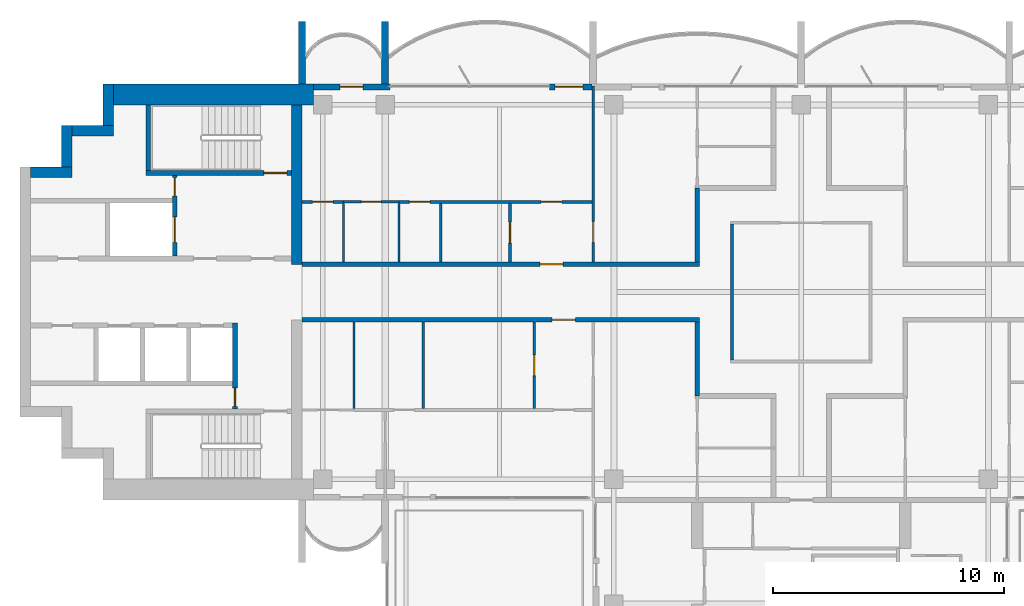
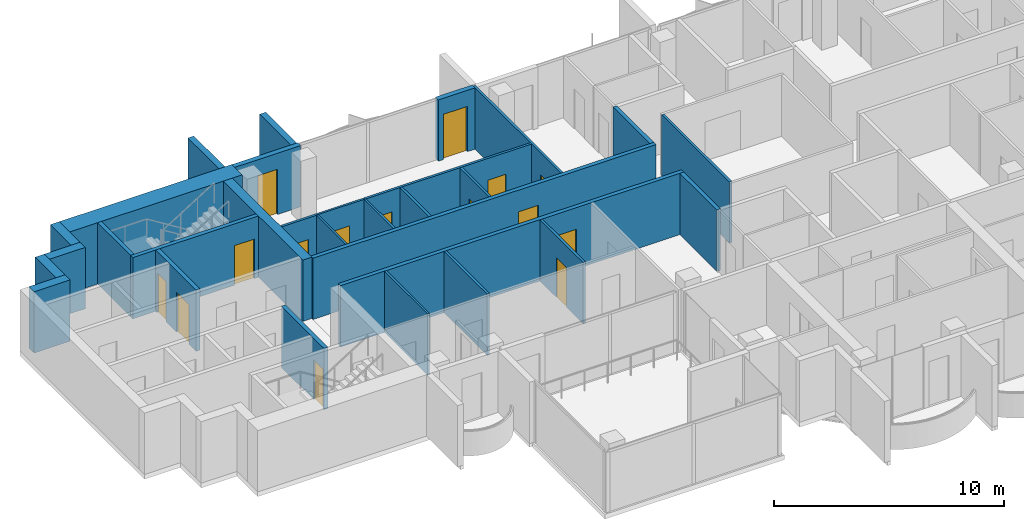
# One storey, part 8 of 16: 30 walls, 15 doors, 15 openings.
"""IFC4 building model written with IfcOpenShell, lengths in metres."""

from ifc_helpers import new_model, si_unit, direction, frame, frame_2d, origin, place, context, subcontext, project, spatial, rectangle, extrude, material, layer, layer_set, type_object, element, fill, save


model = new_model("IFC4")

# Units and contexts
model_context = context("Model", 3, precision=1e-05, world=origin(), true_north=direction((0.0, 1.0)))
body_context = subcontext(model_context, "Body", "Model", "MODEL_VIEW")
ifc_project = project(units=[si_unit("LENGTHUNIT", "METRE"), si_unit("AREAUNIT", "SQUARE_METRE"), si_unit("VOLUMEUNIT", "CUBIC_METRE"), si_unit("PLANEANGLEUNIT", "RADIAN"), si_unit("MASSUNIT", "GRAM", prefix="KILO")], contexts=[model_context])

# Site, building, storey
site_placement = place(None, origin())
site = spatial("IfcSite", under=ifc_project, at=site_placement, CompositionType="ELEMENT")
building_placement = place(site_placement, origin())
building = spatial("IfcBuilding", under=site, at=building_placement, Name="Perihelion Cross Residences", CompositionType="ELEMENT")
storey_placement = place(building_placement, frame((0.0, 0.0, 246.5)))
storey = spatial("IfcBuildingStorey", under=building, at=storey_placement, Name="L62", CompositionType="ELEMENT", Elevation=246.5)

# Wall, opening, door
ifc_material_1 = material(Name="Plasterboard partition")
ifc_layer_1 = layer(ifc_material_1, 0.199951171875)
ifc_layer_set_1 = layer_set([ifc_layer_1], Name="Apartment separation wall 200")
wall_type_1 = type_object("IfcWallType", Name="Apartment separation wall 200", PredefinedType="PARTITIONING", material=ifc_layer_set_1)
wall_1_placement = place(storey_placement, frame((-21.60009765625, 1.199951171875, 0.0), z_axis=(0.0, 0.0, 1.0), x_axis=(1.0, 0.0, 0.0)))
wall_1 = element("IfcWall", 1, at=wall_1_placement, inside=storey, type_object=wall_type_1, Name="Partition L62 W013", PredefinedType="PARTITIONING", context=body_context, shape_type="SweptSolid", body=[
    extrude(rectangle(XDim=17.2001953125, YDim=0.199951171875, at=frame_2d((8.60009765625, 0.0))), origin(), (0.0, 0.0, 1.0), 3.25),
])
opening_1_placement = place(wall_1_placement, frame((10.300048828125, 0.0, 0.0)))
opening_1 = element("IfcOpeningElement", 2, at=opening_1_placement, cuts=wall_1, Name="Opening L62.A40", PredefinedType="OPENING", context=body_context, shape_type="SweptSolid", body=[
    extrude(rectangle(XDim=1.0, YDim=2.10009765625, at=frame_2d((0.5, 1.050048828125))), frame((0.0, 0.10986328125, 0.0), z_axis=(0.0, -1.0, 0.0), x_axis=(1.0, 0.0, 0.0)), (0.0, 0.0, 1.0), 0.219970703125),
])
ifc_material_2 = material(Name="Timber door leaf", Category="wood")
door_type_1 = type_object("IfcDoorType", Name="Flat entrance door 1000 x 2100", OperationType="SINGLE_SWING_LEFT", PredefinedType="DOOR", material=ifc_material_2)
door_1_placement = place(opening_1_placement, origin())
door_1 = element("IfcDoor", 3, at=door_1_placement, inside=storey, type_object=door_type_1, Name="Door L62.A40", OperationType="SINGLE_SWING_RIGHT", OverallHeight=2.10009765625, OverallWidth=1.0, PredefinedType="DOOR", context=body_context, shape_type="SweptSolid", body=[
    extrude(rectangle(XDim=1.0, YDim=2.10009765625, at=frame_2d((0.5, 1.050048828125))), frame((0.0, 0.02490234375, 0.0), z_axis=(0.0, -1.0, 0.0), x_axis=(1.0, 0.0, 0.0)), (0.0, 0.0, 1.0), 0.050048828125),
])
fill(opening_1, door_1)

# Wall
wall_2_placement = place(storey_placement, frame((-4.5, 1.300048828125, 0.0), z_axis=(0.0, 0.0, 1.0), x_axis=(0.0, 1.0, 0.0)))
element("IfcWall", 4, at=wall_2_placement, inside=storey, type_object=wall_type_1, Name="Partition L62 W014", PredefinedType="PARTITIONING", context=body_context, shape_type="SweptSolid", body=[
    extrude(rectangle(XDim=3.199951171875, YDim=0.199951171875, at=frame_2d((1.60009765625, 0.0))), origin(), (0.0, 0.0, 1.0), 3.25),
])

# Wall, opening, door
wall_3_placement = place(storey_placement, frame((-4.39990234375, -1.199951171875, 0.0), z_axis=(0.0, 0.0, 1.0), x_axis=(-1.0, 0.0, 0.0)))
wall_3 = element("IfcWall", 5, at=wall_3_placement, inside=storey, type_object=wall_type_1, Name="Partition L62 W017", PredefinedType="PARTITIONING", context=body_context, shape_type="SweptSolid", body=[
    extrude(rectangle(XDim=17.2001953125, YDim=0.199951171875, at=frame_2d((8.60009765625, 0.0))), origin(), (0.0, 0.0, 1.0), 3.25),
])
opening_2_placement = place(wall_3_placement, frame((5.375, 0.0, 0.0)))
opening_2 = element("IfcOpeningElement", 6, at=opening_2_placement, cuts=wall_3, Name="Opening L62.A41", PredefinedType="OPENING", context=body_context, shape_type="SweptSolid", body=[
    extrude(rectangle(XDim=1.0, YDim=2.10009765625, at=frame_2d((0.5, 1.050048828125))), frame((0.0, 0.10986328125, 0.0), z_axis=(0.0, -1.0, 0.0), x_axis=(1.0, 0.0, 0.0)), (0.0, 0.0, 1.0), 0.219970703125),
])
door_2_placement = place(opening_2_placement, origin())
door_2 = element("IfcDoor", 7, at=door_2_placement, inside=storey, type_object=door_type_1, Name="Door L62.A41", OperationType="SINGLE_SWING_RIGHT", OverallHeight=2.10009765625, OverallWidth=1.0, PredefinedType="DOOR", context=body_context, shape_type="SweptSolid", body=[
    extrude(rectangle(XDim=1.0, YDim=2.10009765625, at=frame_2d((0.5, 1.050048828125))), frame((0.0, 0.02490234375, 0.0), z_axis=(0.0, -1.0, 0.0), x_axis=(1.0, 0.0, 0.0)), (0.0, 0.0, 1.0), 0.050048828125),
])
fill(opening_2, door_2)

# Wall
wall_4_placement = place(storey_placement, frame((-4.5, -4.5, 0.0), z_axis=(0.0, 0.0, 1.0), x_axis=(0.0, 1.0, 0.0)))
element("IfcWall", 8, at=wall_4_placement, inside=storey, type_object=wall_type_1, Name="Partition L62 W018", PredefinedType="PARTITIONING", context=body_context, shape_type="SweptSolid", body=[
    extrude(rectangle(XDim=3.199951171875, YDim=0.199951171875, at=frame_2d((1.60009765625, 0.0))), origin(), (0.0, 0.0, 1.0), 3.25),
])

# Wall, opening, door
ifc_material_3 = material(Name="Concrete C30/37, bronze-clad", Category="concrete")
ifc_layer_2 = layer(ifc_material_3, 0.25)
ifc_layer_set_2 = layer_set([ifc_layer_2], Name="Bronze-clad pier wall 250")
wall_type_2 = type_object("IfcWallType", Name="Bronze-clad pier wall 250", PredefinedType="SOLIDWALL", material=ifc_layer_set_2)
wall_5_placement = place(storey_placement, frame((-9.06005859375, 8.875, 0.0), z_axis=(0.0, 0.0, 1.0), x_axis=(-1.0, 0.0, 0.0)))
wall_5 = element("IfcWall", 9, at=wall_5_placement, inside=storey, type_object=wall_type_2, Name="Wall FW1 L62 west side north bay 1 pier", PredefinedType="SOLIDWALL", context=body_context, shape_type="SweptSolid", body=[
    extrude(rectangle(XDim=1.83984375, YDim=0.25, at=frame_2d((0.919921875, 0.0))), origin(), (0.0, 0.0, 1.0), 3.25),
])
opening_3_placement = place(wall_5_placement, frame((0.389892578125, 0.0, 0.0)))
opening_3 = element("IfcOpeningElement", 10, at=opening_3_placement, cuts=wall_5, Name="Opening L62.E05", PredefinedType="OPENING", context=body_context, shape_type="SweptSolid", body=[
    extrude(rectangle(XDim=1.199951171875, YDim=2.39990234375, at=frame_2d((0.60009765625, 1.199951171875))), frame((0.0, 0.135009765625, 0.0), z_axis=(0.0, -1.0, 0.0), x_axis=(1.0, 0.0, 0.0)), (0.0, 0.0, 1.0), 0.27001953125),
])
ifc_material_4 = material(Name="Bronze anodised aluminium, glazed", Category="aluminium")
door_type_2 = type_object("IfcDoorType", Name="Balcony door 1200 x 2400", OperationType="NOTDEFINED", PredefinedType="DOOR", material=ifc_material_4)
door_3_placement = place(opening_3_placement, origin())
door_3 = element("IfcDoor", 11, at=door_3_placement, inside=storey, type_object=door_type_2, Name="Door L62.E05 west side north bay 1", OperationType="SINGLE_SWING_LEFT", OverallHeight=2.39990234375, OverallWidth=1.199951171875, PredefinedType="DOOR", context=body_context, shape_type="SweptSolid", body=[
    extrude(rectangle(XDim=1.199951171875, YDim=2.39990234375, at=frame_2d((0.60009765625, 1.199951171875))), frame((0.0, 0.02490234375, 0.0), z_axis=(0.0, -1.0, 0.0), x_axis=(1.0, 0.0, 0.0)), (0.0, 0.0, 1.0), 0.050048828125),
])
fill(opening_3, door_3)

wall_6_placement = place(storey_placement, frame((-17.800048828125, 8.875, 0.0), z_axis=(0.0, 0.0, 1.0), x_axis=(-1.0, 0.0, 0.0)))
wall_6 = element("IfcWall", 12, at=wall_6_placement, inside=storey, type_object=wall_type_2, Name="Wall FW1 L62 west side north bay 2 pier", PredefinedType="SOLIDWALL", context=body_context, shape_type="SweptSolid", body=[
    extrude(rectangle(XDim=3.300048828125, YDim=0.25, at=frame_2d((1.64990234375, 0.0))), origin(), (0.0, 0.0, 1.0), 3.25),
])
opening_4_placement = place(wall_6_placement, frame((1.14990234375, 0.0, 0.0)))
opening_4 = element("IfcOpeningElement", 13, at=opening_4_placement, cuts=wall_6, Name="Opening L62.E06", PredefinedType="OPENING", context=body_context, shape_type="SweptSolid", body=[
    extrude(rectangle(XDim=1.0, YDim=2.39990234375, at=frame_2d((0.5, 1.199951171875))), frame((0.0, 0.135009765625, 0.0), z_axis=(0.0, -1.0, 0.0), x_axis=(1.0, 0.0, 0.0)), (0.0, 0.0, 1.0), 0.27001953125),
])
ifc_material_5 = material(Name="Bronze anodised aluminium, glazed", Category="aluminium")
door_type_3 = type_object("IfcDoorType", Name="Balcony door 1000 x 2400", OperationType="NOTDEFINED", PredefinedType="DOOR", material=ifc_material_5)
door_4_placement = place(opening_4_placement, origin())
door_4 = element("IfcDoor", 14, at=door_4_placement, inside=storey, type_object=door_type_3, Name="Door L62.E06 west side north bay 2", OperationType="SINGLE_SWING_RIGHT", OverallHeight=2.39990234375, OverallWidth=1.0, PredefinedType="DOOR", context=body_context, shape_type="SweptSolid", body=[
    extrude(rectangle(XDim=1.0, YDim=2.39990234375, at=frame_2d((0.5, 1.199951171875))), frame((0.0, 0.02490234375, 0.0), z_axis=(0.0, -1.0, 0.0), x_axis=(1.0, 0.0, 0.0)), (0.0, 0.0, 1.0), 0.050048828125),
])
fill(opening_4, door_4)

# Walls
ifc_material_6 = material(Name="Concrete C60/75", Category="concrete")
ifc_layer_3 = layer(ifc_material_6, 0.449951171875)
ifc_layer_set_3 = layer_set([ifc_layer_3], Name="Core wall, inner 450")
wall_type_3 = type_object("IfcWallType", Name="Core wall, inner 450", PredefinedType="SHEAR", material=ifc_layer_set_3)
wall_7_placement = place(storey_placement, frame((-21.824951171875, 1.199951171875, 0.0), z_axis=(0.0, 0.0, 1.0), x_axis=(0.0, 1.0, 0.0)))
element("IfcWall", 15, at=wall_7_placement, inside=storey, type_object=wall_type_3, Name="West core core wall, inner", PredefinedType="SHEAR", context=body_context, shape_type="SweptSolid", body=[
    extrude(rectangle(XDim=6.900146484375, YDim=0.449951171875, at=frame_2d((3.4501953125, 0.0))), origin(), (0.0, 0.0, 1.0), 3.25),
])
ifc_material_7 = material(Name="Concrete C60/75", Category="concrete")
ifc_layer_4 = layer(ifc_material_7, 0.449951171875)
ifc_layer_set_4 = layer_set([ifc_layer_4], Name="Core wall, outer 450")
wall_type_4 = type_object("IfcWallType", Name="Core wall, outer 450", PredefinedType="SHEAR", material=ifc_layer_set_4)
for number, where, z_axis, x_axis, name in (
    (16, (-33.35009765625, 5.175048828125, 0.0), (0.0, 0.0, 1.0), (1.0, 0.0, 0.0), "West core core wall, outer"),
    (17, (-31.77490234375, 5.39990234375, 0.0), (0.0, 0.0, 1.0), (0.0, 1.0, 0.0), "West core core wall, outer"),
    (18, (-31.550048828125, 6.97509765625, 0.0), (0.0, 0.0, 1.0), (1.0, 0.0, 0.0), "West core core wall, outer"),
    (19, (-29.97509765625, 7.199951171875, 0.0), (0.0, 0.0, 1.0), (0.0, 1.0, 0.0), "West core core wall, outer"),
):
    element("IfcWall", number, at=place(storey_placement, frame(where, z_axis=z_axis, x_axis=x_axis)), inside=storey, type_object=wall_type_4, Name=name, PredefinedType="SHEAR", context=body_context, shape_type="SweptSolid", body=[
        extrude(rectangle(XDim=1.800048828125, YDim=0.449951171875, at=frame_2d((0.89990234375, 0.0))), origin(), (0.0, 0.0, 1.0), 3.25),
    ])
ifc_material_8 = material(Name="Concrete C60/75", Category="concrete")
ifc_layer_5 = layer(ifc_material_8, 0.89990234375)
ifc_layer_set_5 = layer_set([ifc_layer_5], Name="Core wall, outer 900")
wall_type_5 = type_object("IfcWallType", Name="Core wall, outer 900", PredefinedType="SHEAR", material=ifc_layer_set_5)
wall_8_placement = place(storey_placement, frame((-29.75, 8.550048828125, 0.0), z_axis=(0.0, 0.0, 1.0), x_axis=(1.0, 0.0, 0.0)))
element("IfcWall", 20, at=wall_8_placement, inside=storey, type_object=wall_type_5, Name="West core core wall, outer", PredefinedType="SHEAR", context=body_context, shape_type="SweptSolid", body=[
    extrude(rectangle(XDim=8.64990234375, YDim=0.89990234375, at=frame_2d((4.324951171875, 0.0))), origin(), (0.0, 0.0, 1.0), 3.25),
])

# Wall, opening, door
ifc_material_9 = material(Name="Concrete C50/60", Category="concrete")
ifc_layer_6 = layer(ifc_material_9, 0.199951171875)
ifc_layer_set_6 = layer_set([ifc_layer_6], Name="Lobby wall 200")
wall_type_6 = type_object("IfcWallType", Name="Lobby wall 200", PredefinedType="SOLIDWALL", material=ifc_layer_set_6)
wall_9_placement = place(storey_placement, frame((-24.5, -5.050048828125, 0.0), z_axis=(0.0, 0.0, 1.0), x_axis=(0.0, 1.0, 0.0)))
wall_9 = element("IfcWall", 21, at=wall_9_placement, inside=storey, type_object=wall_type_6, Name="West core lobby wall", PredefinedType="SOLIDWALL", context=body_context, shape_type="SweptSolid", body=[
    extrude(rectangle(XDim=3.699951171875, YDim=0.199951171875, at=frame_2d((1.85009765625, 0.0))), origin(), (0.0, 0.0, 1.0), 3.25),
])
opening_5_placement = place(wall_9_placement, frame((0.10009765625, 0.0, 0.0)))
opening_5 = element("IfcOpeningElement", 22, at=opening_5_placement, cuts=wall_9, Name="Opening L62.C20", PredefinedType="OPENING", context=body_context, shape_type="SweptSolid", body=[
    extrude(rectangle(XDim=0.800048828125, YDim=2.10009765625, at=frame_2d((0.39990234375, 1.050048828125))), frame((0.0, 0.10986328125, 0.0), z_axis=(0.0, -1.0, 0.0), x_axis=(1.0, 0.0, 0.0)), (0.0, 0.0, 1.0), 0.219970703125),
])
ifc_material_10 = material(Name="Steel, powder coated", Category="steel")
door_type_4 = type_object("IfcDoorType", Name="Riser door 800", OperationType="SINGLE_SWING_LEFT", PredefinedType="DOOR", material=ifc_material_10)
door_5_placement = place(opening_5_placement, origin())
door_5 = element("IfcDoor", 23, at=door_5_placement, inside=storey, type_object=door_type_4, Name="West core riser door", OperationType="SINGLE_SWING_LEFT", OverallHeight=2.10009765625, OverallWidth=0.800048828125, PredefinedType="DOOR", context=body_context, shape_type="SweptSolid", body=[
    extrude(rectangle(XDim=0.800048828125, YDim=2.10009765625, at=frame_2d((0.39990234375, 1.050048828125))), frame((0.0, 0.02490234375, 0.0), z_axis=(0.0, -1.0, 0.0), x_axis=(1.0, 0.0, 0.0)), (0.0, 0.0, 1.0), 0.050048828125),
])
fill(opening_5, door_5)

# Wall
ifc_material_11 = material(Name="Plasterboard partition")
ifc_layer_7 = layer(ifc_material_11, 0.1201171875)
ifc_layer_set_7 = layer_set([ifc_layer_7], Name="Partition wall 120")
wall_type_7 = type_object("IfcWallType", Name="Partition wall 120", PredefinedType="PARTITIONING", material=ifc_layer_set_7)
wall_10_placement = place(storey_placement, frame((-3.0, 2.93994140625, 0.0), z_axis=(0.0, 0.0, 1.0), x_axis=(0.0, -1.0, 0.0)))
element("IfcWall", 24, at=wall_10_placement, inside=storey, type_object=wall_type_7, Name="Partition L62 W004", PredefinedType="PARTITIONING", context=body_context, shape_type="SweptSolid", body=[
    extrude(rectangle(XDim=5.8798828125, YDim=0.1201171875, at=frame_2d((2.93994140625, 0.0))), origin(), (0.0, 0.0, 1.0), 3.25),
])

# Wall, opening, door
wall_11_placement = place(storey_placement, frame((-12.60009765625, 1.300048828125, 0.0), z_axis=(0.0, 0.0, 1.0), x_axis=(0.0, 1.0, 0.0)))
wall_11 = element("IfcWall", 25, at=wall_11_placement, inside=storey, type_object=wall_type_7, Name="Partition L62 W040", PredefinedType="PARTITIONING", context=body_context, shape_type="SweptSolid", body=[
    extrude(rectangle(XDim=2.5400390625, YDim=0.1201171875, at=frame_2d((1.27001953125, 0.0))), origin(), (0.0, 0.0, 1.0), 3.25),
])
opening_6_placement = place(wall_11_placement, frame((0.820068359375, 0.0, 0.0)))
opening_6 = element("IfcOpeningElement", 26, at=opening_6_placement, cuts=wall_11, Name="Opening L62.A18", PredefinedType="OPENING", context=body_context, shape_type="SweptSolid", body=[
    extrude(rectangle(XDim=0.89990234375, YDim=2.10009765625, at=frame_2d((0.449951171875, 1.050048828125))), frame((0.0, 0.070068359375, 0.0), z_axis=(0.0, -1.0, 0.0), x_axis=(1.0, 0.0, 0.0)), (0.0, 0.0, 1.0), 0.14013671875),
])
ifc_material_12 = material(Name="Timber door leaf", Category="wood")
door_type_5 = type_object("IfcDoorType", Name="Interior room door 900 x 2100", OperationType="SINGLE_SWING_LEFT", PredefinedType="DOOR", material=ifc_material_12)
door_6_placement = place(opening_6_placement, origin())
door_6 = element("IfcDoor", 27, at=door_6_placement, inside=storey, type_object=door_type_5, Name="Door L62.A18", OperationType="SINGLE_SWING_RIGHT", OverallHeight=2.10009765625, OverallWidth=0.89990234375, PredefinedType="DOOR", context=body_context, shape_type="SweptSolid", body=[
    extrude(rectangle(XDim=0.89990234375, YDim=2.10009765625, at=frame_2d((0.449951171875, 1.050048828125))), frame((0.0, 0.02490234375, 0.0), z_axis=(0.0, -1.0, 0.0), x_axis=(1.0, 0.0, 0.0)), (0.0, 0.0, 1.0), 0.050048828125),
])
fill(opening_6, door_6)

# Wall, openings, doors
wall_12_placement = place(storey_placement, frame((-17.39990234375, 3.89990234375, 0.0), z_axis=(0.0, 0.0, 1.0), x_axis=(1.0, 0.0, 0.0)))
wall_12 = element("IfcWall", 28, at=wall_12_placement, inside=storey, type_object=wall_type_7, Name="Partition L62 W041", PredefinedType="PARTITIONING", context=body_context, shape_type="SweptSolid", body=[
    extrude(rectangle(XDim=8.4599609375, YDim=0.1201171875, at=frame_2d((4.22998046875, 0.0))), origin(), (0.0, 0.0, 1.0), 3.25),
])
opening_7_placement = place(wall_12_placement, frame((0.449951171875, 0.0, 0.0)))
opening_7 = element("IfcOpeningElement", 29, at=opening_7_placement, cuts=wall_12, Name="Opening L62.A19", PredefinedType="OPENING", context=body_context, shape_type="SweptSolid", body=[
    extrude(rectangle(XDim=0.89990234375, YDim=2.10009765625, at=frame_2d((0.449951171875, 1.050048828125))), frame((0.0, 0.070068359375, 0.0), z_axis=(0.0, -1.0, 0.0), x_axis=(1.0, 0.0, 0.0)), (0.0, 0.0, 1.0), 0.14013671875),
])
opening_8_placement = place(wall_12_placement, frame((6.14990234375, 0.0, 0.0)))
opening_8 = element("IfcOpeningElement", 30, at=opening_8_placement, cuts=wall_12, Name="Opening L62.A23", PredefinedType="OPENING", context=body_context, shape_type="SweptSolid", body=[
    extrude(rectangle(XDim=0.89990234375, YDim=2.10009765625, at=frame_2d((0.449951171875, 1.050048828125))), frame((0.0, 0.070068359375, 0.0), z_axis=(0.0, -1.0, 0.0), x_axis=(1.0, 0.0, 0.0)), (0.0, 0.0, 1.0), 0.14013671875),
])
door_7_placement = place(opening_7_placement, origin())
door_7 = element("IfcDoor", 31, at=door_7_placement, inside=storey, type_object=door_type_5, Name="Door L62.A19", OperationType="SINGLE_SWING_LEFT", OverallHeight=2.10009765625, OverallWidth=0.89990234375, PredefinedType="DOOR", context=body_context, shape_type="SweptSolid", body=[
    extrude(rectangle(XDim=0.89990234375, YDim=2.10009765625, at=frame_2d((0.449951171875, 1.050048828125))), frame((0.0, 0.02490234375, 0.0), z_axis=(0.0, -1.0, 0.0), x_axis=(1.0, 0.0, 0.0)), (0.0, 0.0, 1.0), 0.050048828125),
])
fill(opening_7, door_7)
door_8_placement = place(opening_8_placement, origin())
door_8 = element("IfcDoor", 32, at=door_8_placement, inside=storey, type_object=door_type_5, Name="Door L62.A23", OperationType="SINGLE_SWING_LEFT", OverallHeight=2.10009765625, OverallWidth=0.89990234375, PredefinedType="DOOR", context=body_context, shape_type="SweptSolid", body=[
    extrude(rectangle(XDim=0.89990234375, YDim=2.10009765625, at=frame_2d((0.449951171875, 1.050048828125))), frame((0.0, 0.02490234375, 0.0), z_axis=(0.0, -1.0, 0.0), x_axis=(1.0, 0.0, 0.0)), (0.0, 0.0, 1.0), 0.050048828125),
])
fill(opening_8, door_8)

# Wall, opening, door
wall_13_placement = place(storey_placement, frame((-9.0, 8.919921875, 0.0), z_axis=(0.0, 0.0, 1.0), x_axis=(0.0, -1.0, 0.0)))
wall_13 = element("IfcWall", 33, at=wall_13_placement, inside=storey, type_object=wall_type_7, Name="Partition L62 W042", PredefinedType="PARTITIONING", context=body_context, shape_type="SweptSolid", body=[
    extrude(rectangle(XDim=7.619873046875, YDim=0.1201171875, at=frame_2d((3.81005859375, 0.0))), origin(), (0.0, 0.0, 1.0), 3.25),
])
opening_9_placement = place(wall_13_placement, frame((5.8701171875, 0.0, 0.0)))
opening_9 = element("IfcOpeningElement", 34, at=opening_9_placement, cuts=wall_13, Name="Opening L62.A20", PredefinedType="OPENING", context=body_context, shape_type="SweptSolid", body=[
    extrude(rectangle(XDim=0.89990234375, YDim=2.10009765625, at=frame_2d((0.449951171875, 1.050048828125))), frame((0.0, 0.070068359375, 0.0), z_axis=(0.0, -1.0, 0.0), x_axis=(1.0, 0.0, 0.0)), (0.0, 0.0, 1.0), 0.14013671875),
])
door_9_placement = place(opening_9_placement, origin())
door_9 = element("IfcDoor", 35, at=door_9_placement, inside=storey, type_object=door_type_5, Name="Door L62.A20", OperationType="SINGLE_SWING_RIGHT", OverallHeight=2.10009765625, OverallWidth=0.89990234375, PredefinedType="DOOR", context=body_context, shape_type="SweptSolid", body=[
    extrude(rectangle(XDim=0.89990234375, YDim=2.10009765625, at=frame_2d((0.449951171875, 1.050048828125))), frame((0.0, 0.02490234375, 0.0), z_axis=(0.0, -1.0, 0.0), x_axis=(1.0, 0.0, 0.0)), (0.0, 0.0, 1.0), 0.050048828125),
])
fill(opening_9, door_9)

# Wall
wall_14_placement = place(storey_placement, frame((-15.60009765625, 1.300048828125, 0.0), z_axis=(0.0, 0.0, 1.0), x_axis=(0.0, 1.0, 0.0)))
element("IfcWall", 36, at=wall_14_placement, inside=storey, type_object=wall_type_7, Name="Partition L62 W043", PredefinedType="PARTITIONING", context=body_context, shape_type="SweptSolid", body=[
    extrude(rectangle(XDim=2.5400390625, YDim=0.1201171875, at=frame_2d((1.27001953125, 0.0))), origin(), (0.0, 0.0, 1.0), 3.25),
])

# Wall, opening, door
wall_15_placement = place(storey_placement, frame((-21.60009765625, 3.89990234375, 0.0), z_axis=(0.0, 0.0, 1.0), x_axis=(1.0, 0.0, 0.0)))
wall_15 = element("IfcWall", 37, at=wall_15_placement, inside=storey, type_object=wall_type_7, Name="Partition L62 W047", PredefinedType="PARTITIONING", context=body_context, shape_type="SweptSolid", body=[
    extrude(rectangle(XDim=1.800048828125, YDim=0.1201171875, at=frame_2d((0.89990234375, 0.0))), origin(), (0.0, 0.0, 1.0), 3.25),
])
opening_10_placement = place(wall_15_placement, frame((0.449951171875, 0.0, 0.0)))
opening_10 = element("IfcOpeningElement", 38, at=opening_10_placement, cuts=wall_15, Name="Opening L62.A17", PredefinedType="OPENING", context=body_context, shape_type="SweptSolid", body=[
    extrude(rectangle(XDim=0.89990234375, YDim=2.10009765625, at=frame_2d((0.449951171875, 1.050048828125))), frame((0.0, 0.070068359375, 0.0), z_axis=(0.0, -1.0, 0.0), x_axis=(1.0, 0.0, 0.0)), (0.0, 0.0, 1.0), 0.14013671875),
])
door_10_placement = place(opening_10_placement, origin())
door_10 = element("IfcDoor", 39, at=door_10_placement, inside=storey, type_object=door_type_5, Name="Door L62.A17", OperationType="SINGLE_SWING_RIGHT", OverallHeight=2.10009765625, OverallWidth=0.89990234375, PredefinedType="DOOR", context=body_context, shape_type="SweptSolid", body=[
    extrude(rectangle(XDim=0.89990234375, YDim=2.10009765625, at=frame_2d((0.449951171875, 1.050048828125))), frame((0.0, 0.02490234375, 0.0), z_axis=(0.0, -1.0, 0.0), x_axis=(1.0, 0.0, 0.0)), (0.0, 0.0, 1.0), 0.050048828125),
])
fill(opening_10, door_10)

wall_16_placement = place(storey_placement, frame((-11.550048828125, -5.0400390625, 0.0), z_axis=(0.0, 0.0, 1.0), x_axis=(0.0, 1.0, 0.0)))
wall_16 = element("IfcWall", 40, at=wall_16_placement, inside=storey, type_object=wall_type_7, Name="Partition L62 W051", PredefinedType="PARTITIONING", context=body_context, shape_type="SweptSolid", body=[
    extrude(rectangle(XDim=3.739990234375, YDim=0.1201171875, at=frame_2d((1.8701171875, 0.0))), origin(), (0.0, 0.0, 1.0), 3.25),
])
opening_11_placement = place(wall_16_placement, frame((1.419921875, 0.0, 0.0)))
opening_11 = element("IfcOpeningElement", 41, at=opening_11_placement, cuts=wall_16, Name="Opening L62.A27", PredefinedType="OPENING", context=body_context, shape_type="SweptSolid", body=[
    extrude(rectangle(XDim=0.89990234375, YDim=2.10009765625, at=frame_2d((0.449951171875, 1.050048828125))), frame((0.0, 0.070068359375, 0.0), z_axis=(0.0, -1.0, 0.0), x_axis=(1.0, 0.0, 0.0)), (0.0, 0.0, 1.0), 0.14013671875),
])
door_11_placement = place(opening_11_placement, origin())
door_11 = element("IfcDoor", 42, at=door_11_placement, inside=storey, type_object=door_type_5, Name="Door L62.A27", OperationType="SINGLE_SWING_RIGHT", OverallHeight=2.10009765625, OverallWidth=0.89990234375, PredefinedType="DOOR", context=body_context, shape_type="SweptSolid", body=[
    extrude(rectangle(XDim=0.89990234375, YDim=2.10009765625, at=frame_2d((0.449951171875, 1.050048828125))), frame((0.0, 0.02490234375, 0.0), z_axis=(0.0, -1.0, 0.0), x_axis=(1.0, 0.0, 0.0)), (0.0, 0.0, 1.0), 0.050048828125),
])
fill(opening_11, door_11)

# Walls
wall_17_placement = place(storey_placement, frame((-16.35009765625, -5.0400390625, 0.0), z_axis=(0.0, 0.0, 1.0), x_axis=(0.0, 1.0, 0.0)))
element("IfcWall", 43, at=wall_17_placement, inside=storey, type_object=wall_type_7, Name="Partition L62 W054", PredefinedType="PARTITIONING", context=body_context, shape_type="SweptSolid", body=[
    extrude(rectangle(XDim=3.739990234375, YDim=0.1201171875, at=frame_2d((1.8701171875, 0.0))), origin(), (0.0, 0.0, 1.0), 3.25),
])
ifc_material_13 = material(Name="Precast concrete C50/60", Category="concrete")
ifc_layer_8 = layer(ifc_material_13, 0.300048828125)
ifc_layer_set_8 = layer_set([ifc_layer_8], Name="Precast concrete C50/60 blade wall 300")
wall_type_8 = type_object("IfcWallType", Name="Precast concrete C50/60 blade wall 300", PredefinedType="SOLIDWALL", material=ifc_layer_set_8)
for number, where, z_axis, x_axis, name in (
    (44, (-21.60009765625, 9.0, 0.0), (0.0, 0.0, 1.0), (0.0, 1.0, 0.0), "Wall BL1 L62 no. 4"),
    (45, (-18.0, 9.0, 0.0), (0.0, 0.0, 1.0), (0.0, 1.0, 0.0), "Wall BL1 L62 no. 2"),
):
    element("IfcWall", number, at=place(storey_placement, frame(where, z_axis=z_axis, x_axis=x_axis)), inside=storey, type_object=wall_type_8, Name=name, PredefinedType="SOLIDWALL", context=body_context, shape_type="SweptSolid", body=[
        extrude(rectangle(XDim=2.699951171875, YDim=0.300048828125, at=frame_2d((1.35009765625, 0.0))), origin(), (0.0, 0.0, 1.0), 3.25),
    ])

# Wall, openings, doors
ifc_material_14 = material(Name="Concrete C50/60", Category="concrete")
ifc_layer_9 = layer(ifc_material_14, 0.199951171875)
ifc_layer_set_9 = layer_set([ifc_layer_9], Name="Shaft wall 200")
wall_type_9 = type_object("IfcWallType", Name="Shaft wall 200", PredefinedType="SOLIDWALL", material=ifc_layer_set_9)
wall_18_placement = place(storey_placement, frame((-27.10009765625, 1.550048828125, 0.0), z_axis=(0.0, 0.0, 1.0), x_axis=(0.0, 1.0, 0.0)))
wall_18 = element("IfcWall", 46, at=wall_18_placement, inside=storey, type_object=wall_type_9, Name="West core shaft wall", PredefinedType="SOLIDWALL", context=body_context, shape_type="SweptSolid", body=[
    extrude(rectangle(XDim=3.5, YDim=0.199951171875, at=frame_2d((1.75, 0.0))), origin(), (0.0, 0.0, 1.0), 3.25),
])
opening_12_placement = place(wall_18_placement, frame((0.60009765625, 0.0, 0.0)))
opening_12 = element("IfcOpeningElement", 47, at=opening_12_placement, cuts=wall_18, Name="Opening L62.C14", PredefinedType="OPENING", context=body_context, shape_type="SweptSolid", body=[
    extrude(rectangle(XDim=1.10009765625, YDim=2.10009765625, at=frame_2d((0.550048828125, 1.050048828125))), frame((0.0, 0.10986328125, 0.0), z_axis=(0.0, -1.0, 0.0), x_axis=(1.0, 0.0, 0.0)), (0.0, 0.0, 1.0), 0.219970703125),
])
opening_13_placement = place(wall_18_placement, frame((2.60009765625, 0.0, 0.0)))
opening_13 = element("IfcOpeningElement", 48, at=opening_13_placement, cuts=wall_18, Name="Opening L62.C22", PredefinedType="OPENING", context=body_context, shape_type="SweptSolid", body=[
    extrude(rectangle(XDim=0.800048828125, YDim=2.10009765625, at=frame_2d((0.39990234375, 1.050048828125))), frame((0.0, 0.10986328125, 0.0), z_axis=(0.0, -1.0, 0.0), x_axis=(1.0, 0.0, 0.0)), (0.0, 0.0, 1.0), 0.219970703125),
])
ifc_material_15 = material(Name="Stainless steel", Category="steel")
door_type_6 = type_object("IfcDoorType", Name="Landing door, firefighting lift 1100", OperationType="DOUBLE_DOOR_SLIDING", PredefinedType="DOOR", material=ifc_material_15)
door_12_placement = place(opening_12_placement, origin())
door_12 = element("IfcDoor", 49, at=door_12_placement, inside=storey, type_object=door_type_6, Name="Landing door, West core firefighting and service lift", OperationType="DOUBLE_DOOR_SLIDING", OverallHeight=2.10009765625, OverallWidth=1.10009765625, PredefinedType="DOOR", context=body_context, shape_type="SweptSolid", body=[
    extrude(rectangle(XDim=1.10009765625, YDim=2.10009765625, at=frame_2d((0.550048828125, 1.050048828125))), frame((0.0, 0.02490234375, 0.0), z_axis=(0.0, -1.0, 0.0), x_axis=(1.0, 0.0, 0.0)), (0.0, 0.0, 1.0), 0.050048828125),
])
fill(opening_12, door_12)
door_13_placement = place(opening_13_placement, origin())
door_13 = element("IfcDoor", 50, at=door_13_placement, inside=storey, type_object=door_type_4, Name="West core riser door", OperationType="SINGLE_SWING_LEFT", OverallHeight=2.10009765625, OverallWidth=0.800048828125, PredefinedType="DOOR", context=body_context, shape_type="SweptSolid", body=[
    extrude(rectangle(XDim=0.800048828125, YDim=2.10009765625, at=frame_2d((0.39990234375, 1.050048828125))), frame((0.0, 0.02490234375, 0.0), z_axis=(0.0, -1.0, 0.0), x_axis=(1.0, 0.0, 0.0)), (0.0, 0.0, 1.0), 0.050048828125),
])
fill(opening_13, door_13)

# Wall, opening, door
ifc_material_16 = material(Name="Concrete C50/60", Category="concrete")
ifc_layer_10 = layer(ifc_material_16, 0.199951171875)
ifc_layer_set_10 = layer_set([ifc_layer_10], Name="Stair wall 200")
wall_type_10 = type_object("IfcWallType", Name="Stair wall 200", PredefinedType="SOLIDWALL", material=ifc_layer_set_10)
wall_19_placement = place(storey_placement, frame((-28.35009765625, 5.14990234375, 0.0), z_axis=(0.0, 0.0, 1.0), x_axis=(1.0, 0.0, 0.0)))
wall_19 = element("IfcWall", 51, at=wall_19_placement, inside=storey, type_object=wall_type_10, Name="West core stair wall", PredefinedType="SOLIDWALL", context=body_context, shape_type="SweptSolid", body=[
    extrude(rectangle(XDim=6.300048828125, YDim=0.199951171875, at=frame_2d((3.14990234375, 0.0))), origin(), (0.0, 0.0, 1.0), 3.25),
])
opening_14_placement = place(wall_19_placement, frame((5.10009765625, 0.0, 0.0)))
opening_14 = element("IfcOpeningElement", 52, at=opening_14_placement, cuts=wall_19, Name="Opening L62.C18", PredefinedType="OPENING", context=body_context, shape_type="SweptSolid", body=[
    extrude(rectangle(XDim=1.0, YDim=2.10009765625, at=frame_2d((0.5, 1.050048828125))), frame((0.0, 0.10986328125, 0.0), z_axis=(0.0, -1.0, 0.0), x_axis=(1.0, 0.0, 0.0)), (0.0, 0.0, 1.0), 0.219970703125),
])
ifc_material_17 = material(Name="Steel, powder coated", Category="steel")
door_type_7 = type_object("IfcDoorType", Name="Stair door 1000", OperationType="SINGLE_SWING_LEFT", PredefinedType="DOOR", material=ifc_material_17)
door_14_placement = place(opening_14_placement, origin())
door_14 = element("IfcDoor", 53, at=door_14_placement, inside=storey, type_object=door_type_7, Name="West core stair door", OperationType="SINGLE_SWING_LEFT", OverallHeight=2.10009765625, OverallWidth=1.0, PredefinedType="DOOR", context=body_context, shape_type="SweptSolid", body=[
    extrude(rectangle(XDim=1.0, YDim=2.10009765625, at=frame_2d((0.5, 1.050048828125))), frame((0.0, 0.02490234375, 0.0), z_axis=(0.0, -1.0, 0.0), x_axis=(1.0, 0.0, 0.0)), (0.0, 0.0, 1.0), 0.050048828125),
])
fill(opening_14, door_14)

# Walls
wall_20_placement = place(storey_placement, frame((-28.25, 5.25, 0.0), z_axis=(0.0, 0.0, 1.0), x_axis=(0.0, 1.0, 0.0)))
element("IfcWall", 54, at=wall_20_placement, inside=storey, type_object=wall_type_10, Name="West core stair wall", PredefinedType="SOLIDWALL", context=body_context, shape_type="SweptSolid", body=[
    extrude(rectangle(XDim=2.85009765625, YDim=0.199951171875, at=frame_2d((1.425048828125, 0.0))), origin(), (0.0, 0.0, 1.0), 3.25),
])
ifc_material_18 = material(Name="Plasterboard partition")
ifc_layer_11 = layer(ifc_material_18, 0.10009765625)
ifc_layer_set_11 = layer_set([ifc_layer_11], Name="Wet room wall 100")
wall_type_11 = type_object("IfcWallType", Name="Wet room wall 100", PredefinedType="PARTITIONING", material=ifc_layer_set_11)
for number, where, z_axis, x_axis, name in (
    (55, (-17.39990234375, 1.300048828125, 0.0), (0.0, 0.0, 1.0), (0.0, 1.0, 0.0), "Partition L62 W044"),
    (56, (-19.800048828125, 1.300048828125, 0.0), (0.0, 0.0, 1.0), (0.0, 1.0, 0.0), "Partition L62 W045"),
):
    element("IfcWall", number, at=place(storey_placement, frame(where, z_axis=z_axis, x_axis=x_axis)), inside=storey, type_object=wall_type_11, Name=name, PredefinedType="PARTITIONING", context=body_context, shape_type="SweptSolid", body=[
        extrude(rectangle(XDim=2.5400390625, YDim=0.10009765625, at=frame_2d((1.27001953125, 0.0))), origin(), (0.0, 0.0, 1.0), 3.25),
    ])

# Wall, opening, door
wall_21_placement = place(storey_placement, frame((-19.800048828125, 3.89990234375, 0.0), z_axis=(0.0, 0.0, 1.0), x_axis=(1.0, 0.0, 0.0)))
wall_21 = element("IfcWall", 57, at=wall_21_placement, inside=storey, type_object=wall_type_11, Name="Partition L62 W046", PredefinedType="PARTITIONING", context=body_context, shape_type="SweptSolid", body=[
    extrude(rectangle(XDim=2.400146484375, YDim=0.10009765625, at=frame_2d((1.2001953125, 0.0))), origin(), (0.0, 0.0, 1.0), 3.25),
])
opening_15_placement = place(wall_21_placement, frame((0.77490234375, 0.0, 0.0)))
opening_15 = element("IfcOpeningElement", 58, at=opening_15_placement, cuts=wall_21, Name="Opening L62.A16", PredefinedType="OPENING", context=body_context, shape_type="SweptSolid", body=[
    extrude(rectangle(XDim=0.85009765625, YDim=2.10009765625, at=frame_2d((0.425048828125, 1.050048828125))), frame((0.0, 0.06005859375, 0.0), z_axis=(0.0, -1.0, 0.0), x_axis=(1.0, 0.0, 0.0)), (0.0, 0.0, 1.0), 0.1201171875),
])
ifc_material_19 = material(Name="Timber door leaf", Category="wood")
door_type_8 = type_object("IfcDoorType", Name="Interior bathroom door 850 x 2100", OperationType="SINGLE_SWING_LEFT", PredefinedType="DOOR", material=ifc_material_19)
door_15_placement = place(opening_15_placement, origin())
door_15 = element("IfcDoor", 59, at=door_15_placement, inside=storey, type_object=door_type_8, Name="Door L62.A16", OperationType="SINGLE_SWING_LEFT", OverallHeight=2.10009765625, OverallWidth=0.85009765625, PredefinedType="DOOR", context=body_context, shape_type="SweptSolid", body=[
    extrude(rectangle(XDim=0.85009765625, YDim=2.10009765625, at=frame_2d((0.425048828125, 1.050048828125))), frame((0.0, 0.02490234375, 0.0), z_axis=(0.0, -1.0, 0.0), x_axis=(1.0, 0.0, 0.0)), (0.0, 0.0, 1.0), 0.050048828125),
])
fill(opening_15, door_15)

# Wall
wall_22_placement = place(storey_placement, frame((-19.35009765625, -5.0400390625, 0.0), z_axis=(0.0, 0.0, 1.0), x_axis=(0.0, 1.0, 0.0)))
element("IfcWall", 60, at=wall_22_placement, inside=storey, type_object=wall_type_11, Name="Partition L62 W055", PredefinedType="PARTITIONING", context=body_context, shape_type="SweptSolid", body=[
    extrude(rectangle(XDim=3.739990234375, YDim=0.10009765625, at=frame_2d((1.8701171875, 0.0))), origin(), (0.0, 0.0, 1.0), 3.25),
])

save(model, "model.ifc")
